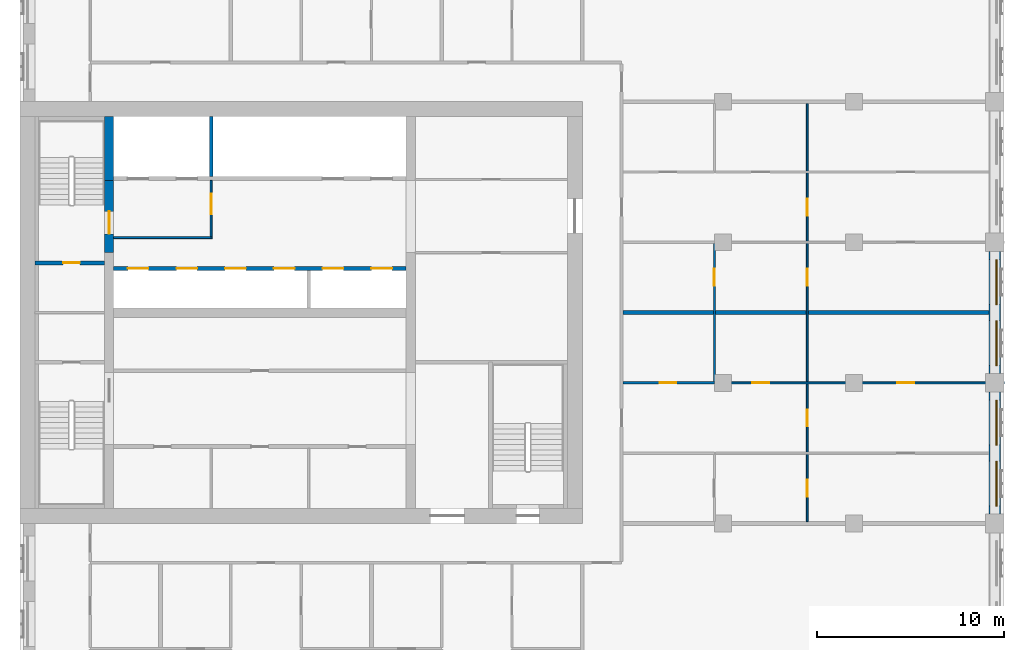
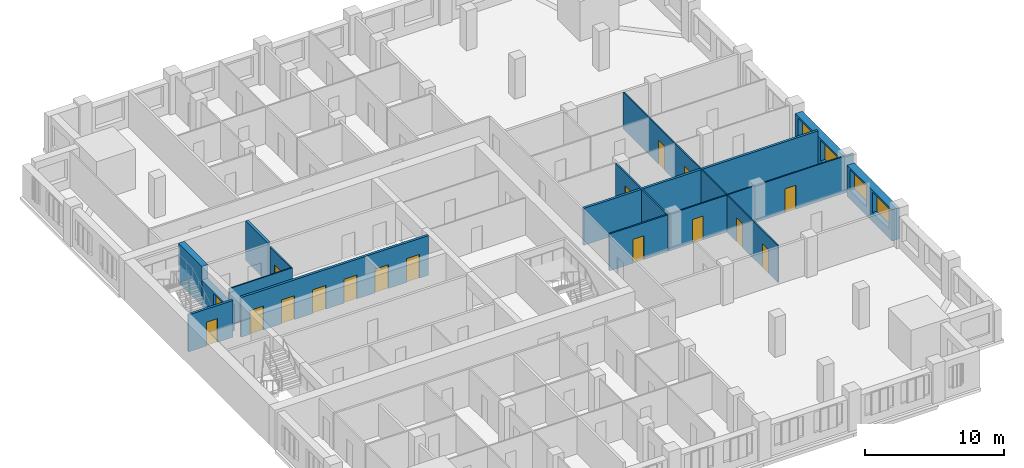
# One storey, part 9 of 14: 17 doors, 14 walls, 4 windows, 21 openings.
"""IFC4 building model written with IfcOpenShell, lengths in metres."""

from ifc_helpers import new_model, si_unit, direction, frame, frame_2d, origin, place, context, subcontext, project, spatial, rectangle, extrude, material, layer, layer_set, type_object, element, fill, save


model = new_model("IFC4")

# Units and contexts
model_context = context("Model", 3, precision=1e-05, world=origin(), true_north=direction((0.0, 1.0)))
body_context = subcontext(model_context, "Body", "Model", "MODEL_VIEW")
ifc_project = project(units=[si_unit("LENGTHUNIT", "METRE"), si_unit("AREAUNIT", "SQUARE_METRE"), si_unit("VOLUMEUNIT", "CUBIC_METRE"), si_unit("PLANEANGLEUNIT", "RADIAN"), si_unit("MASSUNIT", "GRAM", prefix="KILO")], contexts=[model_context])

# Site, building, storey
site_placement = place(None, origin())
site = spatial("IfcSite", under=ifc_project, at=site_placement, CompositionType="ELEMENT")
building_placement = place(site_placement, origin())
building = spatial("IfcBuilding", under=site, at=building_placement, Name="Tamorin Gate", CompositionType="ELEMENT")
storey_placement = place(building_placement, frame((0.0, 0.0, 207.199951171875)))
storey = spatial("IfcBuildingStorey", under=building, at=storey_placement, Name="L51", CompositionType="ELEMENT", Elevation=207.199951171875)

# Wall, openings, windows
ifc_material_1 = material(Name="Precast concrete C40/50", Category="concrete")
ifc_layer_1 = layer(ifc_material_1, 0.60009765625)
ifc_layer_set_1 = layer_set([ifc_layer_1], Name="Precast concrete C40/50")
wall_type_1 = type_object("IfcWallType", Name="Board-marked concrete facade panel 600", PredefinedType="SOLIDWALL", material=ifc_layer_set_1)
wall_1_placement = place(storey_placement, frame((82.0, 60.5, 0.0), z_axis=(0.0, 0.0, 1.0), x_axis=(0.0, 1.0, 0.0)))
wall_1 = element("IfcWall", 1, at=wall_1_placement, inside=storey, type_object=wall_type_1, Name="Facade panel", PredefinedType="SOLIDWALL", context=body_context, shape_type="SweptSolid", body=[
    extrude(rectangle(XDim=6.5, YDim=0.60009765625, at=frame_2d((3.25, 0.0))), origin(), (0.0, 0.0, 1.0), 2.75),
])
opening_1_placement = place(wall_1_placement, frame((0.425048828125, 0.0, 0.800048828125)))
opening_1 = element("IfcOpeningElement", 2, at=opening_1_placement, cuts=wall_1, Name="Opening WN1", PredefinedType="OPENING", context=body_context, shape_type="SweptSolid", body=[
    extrude(rectangle(XDim=2.39990234375, YDim=1.800048828125, at=frame_2d((1.199951171875, 0.89990234375))), frame((0.0, 0.31005859375, 0.0), z_axis=(0.0, -1.0, 0.0), x_axis=(1.0, 0.0, 0.0)), (0.0, 0.0, 1.0), 0.6201171875),
])
opening_2_placement = place(wall_1_placement, frame((3.675048828125, 0.0, 0.800048828125)))
opening_2 = element("IfcOpeningElement", 3, at=opening_2_placement, cuts=wall_1, Name="Opening WN1", PredefinedType="OPENING", context=body_context, shape_type="SweptSolid", body=[
    extrude(rectangle(XDim=2.39990234375, YDim=1.800048828125, at=frame_2d((1.199951171875, 0.89990234375))), frame((0.0, 0.31005859375, 0.0), z_axis=(0.0, -1.0, 0.0), x_axis=(1.0, 0.0, 0.0)), (0.0, 0.0, 1.0), 0.6201171875),
])
ifc_material_2 = material(Name="Clear glass in aluminium frame", Category="aluminium")
window_type = type_object("IfcWindowType", Name="Deep-set window 2400x1800", PartitioningType="SINGLE_PANEL", PredefinedType="WINDOW", material=ifc_material_2)
window_1_placement = place(opening_1_placement, origin())
window_1 = element("IfcWindow", 4, at=window_1_placement, inside=storey, type_object=window_type, Name="Deep-set window", OverallHeight=1.800048828125, OverallWidth=2.39990234375, PartitioningType="SINGLE_PANEL", PredefinedType="WINDOW", context=body_context, shape_type="SweptSolid", body=[
    extrude(rectangle(XDim=2.39990234375, YDim=1.800048828125, at=frame_2d((1.199951171875, 0.89990234375))), frame((0.0, -0.070068359375, 0.0), z_axis=(0.0, -1.0, 0.0), x_axis=(1.0, 0.0, 0.0)), (0.0, 0.0, 1.0), 0.06005859375),
])
fill(opening_1, window_1)
window_2_placement = place(opening_2_placement, origin())
window_2 = element("IfcWindow", 5, at=window_2_placement, inside=storey, type_object=window_type, Name="Deep-set window", OverallHeight=1.800048828125, OverallWidth=2.39990234375, PartitioningType="SINGLE_PANEL", PredefinedType="WINDOW", context=body_context, shape_type="SweptSolid", body=[
    extrude(rectangle(XDim=2.39990234375, YDim=1.800048828125, at=frame_2d((1.199951171875, 0.89990234375))), frame((0.0, -0.070068359375, 0.0), z_axis=(0.0, -1.0, 0.0), x_axis=(1.0, 0.0, 0.0)), (0.0, 0.0, 1.0), 0.06005859375),
])
fill(opening_2, window_2)

wall_2_placement = place(storey_placement, frame((82.0, 68.0, 0.0), z_axis=(0.0, 0.0, 1.0), x_axis=(0.0, 1.0, 0.0)))
wall_2 = element("IfcWall", 6, at=wall_2_placement, inside=storey, type_object=wall_type_1, Name="Facade panel", PredefinedType="SOLIDWALL", context=body_context, shape_type="SweptSolid", body=[
    extrude(rectangle(XDim=6.5, YDim=0.60009765625, at=frame_2d((3.25, 0.0))), origin(), (0.0, 0.0, 1.0), 2.75),
])
opening_3_placement = place(wall_2_placement, frame((0.425048828125, 0.0, 0.800048828125)))
opening_3 = element("IfcOpeningElement", 7, at=opening_3_placement, cuts=wall_2, Name="Opening WN1", PredefinedType="OPENING", context=body_context, shape_type="SweptSolid", body=[
    extrude(rectangle(XDim=2.39990234375, YDim=1.800048828125, at=frame_2d((1.199951171875, 0.89990234375))), frame((0.0, 0.31005859375, 0.0), z_axis=(0.0, -1.0, 0.0), x_axis=(1.0, 0.0, 0.0)), (0.0, 0.0, 1.0), 0.6201171875),
])
opening_4_placement = place(wall_2_placement, frame((3.675048828125, 0.0, 0.800048828125)))
opening_4 = element("IfcOpeningElement", 8, at=opening_4_placement, cuts=wall_2, Name="Opening WN1", PredefinedType="OPENING", context=body_context, shape_type="SweptSolid", body=[
    extrude(rectangle(XDim=2.39990234375, YDim=1.800048828125, at=frame_2d((1.199951171875, 0.89990234375))), frame((0.0, 0.31005859375, 0.0), z_axis=(0.0, -1.0, 0.0), x_axis=(1.0, 0.0, 0.0)), (0.0, 0.0, 1.0), 0.6201171875),
])
window_3_placement = place(opening_3_placement, origin())
window_3 = element("IfcWindow", 9, at=window_3_placement, inside=storey, type_object=window_type, Name="Deep-set window", OverallHeight=1.800048828125, OverallWidth=2.39990234375, PartitioningType="SINGLE_PANEL", PredefinedType="WINDOW", context=body_context, shape_type="SweptSolid", body=[
    extrude(rectangle(XDim=2.39990234375, YDim=1.800048828125, at=frame_2d((1.199951171875, 0.89990234375))), frame((0.0, -0.070068359375, 0.0), z_axis=(0.0, -1.0, 0.0), x_axis=(1.0, 0.0, 0.0)), (0.0, 0.0, 1.0), 0.06005859375),
])
fill(opening_3, window_3)
window_4_placement = place(opening_4_placement, origin())
window_4 = element("IfcWindow", 10, at=window_4_placement, inside=storey, type_object=window_type, Name="Deep-set window", OverallHeight=1.800048828125, OverallWidth=2.39990234375, PartitioningType="SINGLE_PANEL", PredefinedType="WINDOW", context=body_context, shape_type="SweptSolid", body=[
    extrude(rectangle(XDim=2.39990234375, YDim=1.800048828125, at=frame_2d((1.199951171875, 0.89990234375))), frame((0.0, -0.070068359375, 0.0), z_axis=(0.0, -1.0, 0.0), x_axis=(1.0, 0.0, 0.0)), (0.0, 0.0, 1.0), 0.06005859375),
])
fill(opening_4, window_4)

# Wall
ifc_material_3 = material(Name="Gypsum board partition")
ifc_layer_2 = layer(ifc_material_3, 0.199951171875)
ifc_layer_set_2 = layer_set([ifc_layer_2], Name="Demising wall 200")
wall_type_2 = type_object("IfcWallType", Name="Demising wall 200", PredefinedType="PARTITIONING", material=ifc_layer_set_2)
wall_3_placement = place(storey_placement, frame((62.175048828125, 71.25, 0.0), z_axis=(0.0, 0.0, 1.0), x_axis=(1.0, 0.0, 0.0)))
element("IfcWall", 11, at=wall_3_placement, inside=storey, type_object=wall_type_2, Name="Demising wall 200", PredefinedType="PARTITIONING", context=body_context, shape_type="SweptSolid", body=[
    extrude(rectangle(XDim=19.514892578125, YDim=0.199951171875, at=frame_2d((9.75732421875, 0.0))), origin(), (0.0, 0.0, 1.0), 3.25),
])

# Wall, openings, doors
ifc_material_4 = material(Name="Concrete C32/40", Category="concrete")
ifc_layer_3 = layer(ifc_material_4, 0.199951171875)
ifc_layer_set_3 = layer_set([ifc_layer_3], Name="Lift lobby face wall 200 EI 120")
wall_type_3 = type_object("IfcWallType", Name="Lift lobby face wall 200 EI 120", PredefinedType="SOLIDWALL", material=ifc_layer_set_3)
wall_4_placement = place(storey_placement, frame((35.0, 73.60009765625, 0.0), z_axis=(0.0, 0.0, 1.0), x_axis=(1.0, 0.0, 0.0)))
wall_4 = element("IfcWall", 12, at=wall_4_placement, inside=storey, type_object=wall_type_3, Name="Lift lobby face wall", PredefinedType="SOLIDWALL", context=body_context, shape_type="SweptSolid", body=[
    extrude(rectangle(XDim=15.60009765625, YDim=0.199951171875, at=frame_2d((7.800048828125, 0.0))), origin(), (0.0, 0.0, 1.0), 3.5),
])
opening_5_placement = place(wall_4_placement, frame((0.75, 0.0, 0.0)))
opening_5 = element("IfcOpeningElement", 13, at=opening_5_placement, cuts=wall_4, Name="Opening LD11", PredefinedType="OPENING", context=body_context, shape_type="SweptSolid", body=[
    extrude(rectangle(XDim=1.10009765625, YDim=2.10009765625, at=frame_2d((0.550048828125, 1.050048828125))), frame((0.0, 0.10986328125, 0.0), z_axis=(0.0, -1.0, 0.0), x_axis=(1.0, 0.0, 0.0)), (0.0, 0.0, 1.0), 0.219970703125),
])
opening_6_placement = place(wall_4_placement, frame((3.35009765625, 0.0, 0.0)))
opening_6 = element("IfcOpeningElement", 14, at=opening_6_placement, cuts=wall_4, Name="Opening LD12", PredefinedType="OPENING", context=body_context, shape_type="SweptSolid", body=[
    extrude(rectangle(XDim=1.10009765625, YDim=2.10009765625, at=frame_2d((0.550048828125, 1.050048828125))), frame((0.0, 0.10986328125, 0.0), z_axis=(0.0, -1.0, 0.0), x_axis=(1.0, 0.0, 0.0)), (0.0, 0.0, 1.0), 0.219970703125),
])
opening_7_placement = place(wall_4_placement, frame((5.949951171875, 0.0, 0.0)))
opening_7 = element("IfcOpeningElement", 15, at=opening_7_placement, cuts=wall_4, Name="Opening LD13", PredefinedType="OPENING", context=body_context, shape_type="SweptSolid", body=[
    extrude(rectangle(XDim=1.10009765625, YDim=2.10009765625, at=frame_2d((0.550048828125, 1.050048828125))), frame((0.0, 0.10986328125, 0.0), z_axis=(0.0, -1.0, 0.0), x_axis=(1.0, 0.0, 0.0)), (0.0, 0.0, 1.0), 0.219970703125),
])
opening_8_placement = place(wall_4_placement, frame((8.550048828125, 0.0, 0.0)))
opening_8 = element("IfcOpeningElement", 16, at=opening_8_placement, cuts=wall_4, Name="Opening LD14", PredefinedType="OPENING", context=body_context, shape_type="SweptSolid", body=[
    extrude(rectangle(XDim=1.10009765625, YDim=2.10009765625, at=frame_2d((0.550048828125, 1.050048828125))), frame((0.0, 0.10986328125, 0.0), z_axis=(0.0, -1.0, 0.0), x_axis=(1.0, 0.0, 0.0)), (0.0, 0.0, 1.0), 0.219970703125),
])
opening_9_placement = place(wall_4_placement, frame((11.14990234375, 0.0, 0.0)))
opening_9 = element("IfcOpeningElement", 17, at=opening_9_placement, cuts=wall_4, Name="Opening LD15", PredefinedType="OPENING", context=body_context, shape_type="SweptSolid", body=[
    extrude(rectangle(XDim=1.10009765625, YDim=2.10009765625, at=frame_2d((0.550048828125, 1.050048828125))), frame((0.0, 0.10986328125, 0.0), z_axis=(0.0, -1.0, 0.0), x_axis=(1.0, 0.0, 0.0)), (0.0, 0.0, 1.0), 0.219970703125),
])
opening_10_placement = place(wall_4_placement, frame((13.75, 0.0, 0.0)))
opening_10 = element("IfcOpeningElement", 18, at=opening_10_placement, cuts=wall_4, Name="Opening LD16", PredefinedType="OPENING", context=body_context, shape_type="SweptSolid", body=[
    extrude(rectangle(XDim=1.10009765625, YDim=2.10009765625, at=frame_2d((0.550048828125, 1.050048828125))), frame((0.0, 0.10986328125, 0.0), z_axis=(0.0, -1.0, 0.0), x_axis=(1.0, 0.0, 0.0)), (0.0, 0.0, 1.0), 0.219970703125),
])
ifc_material_5 = material(Name="Stainless steel sliding door", Category="steel")
door_type_1 = type_object("IfcDoorType", Name="Lift landing door 1100 x 2100 E 90", OperationType="DOUBLE_DOOR_SLIDING", PredefinedType="DOOR", material=ifc_material_5)
door_1_placement = place(opening_5_placement, origin())
door_1 = element("IfcDoor", 19, at=door_1_placement, inside=storey, type_object=door_type_1, Name="HR1 landing door", OperationType="DOUBLE_DOOR_SLIDING", OverallHeight=2.10009765625, OverallWidth=1.10009765625, PredefinedType="DOOR", context=body_context, shape_type="SweptSolid", body=[
    extrude(rectangle(XDim=1.10009765625, YDim=2.10009765625, at=frame_2d((0.550048828125, 1.050048828125))), frame((0.0, 0.02490234375, 0.0), z_axis=(0.0, -1.0, 0.0), x_axis=(1.0, 0.0, 0.0)), (0.0, 0.0, 1.0), 0.050048828125),
])
fill(opening_5, door_1)
door_2_placement = place(opening_6_placement, origin())
door_2 = element("IfcDoor", 20, at=door_2_placement, inside=storey, type_object=door_type_1, Name="HR2 landing door", OperationType="DOUBLE_DOOR_SLIDING", OverallHeight=2.10009765625, OverallWidth=1.10009765625, PredefinedType="DOOR", context=body_context, shape_type="SweptSolid", body=[
    extrude(rectangle(XDim=1.10009765625, YDim=2.10009765625, at=frame_2d((0.550048828125, 1.050048828125))), frame((0.0, 0.02490234375, 0.0), z_axis=(0.0, -1.0, 0.0), x_axis=(1.0, 0.0, 0.0)), (0.0, 0.0, 1.0), 0.050048828125),
])
fill(opening_6, door_2)
door_3_placement = place(opening_7_placement, origin())
door_3 = element("IfcDoor", 21, at=door_3_placement, inside=storey, type_object=door_type_1, Name="HR3 landing door", OperationType="DOUBLE_DOOR_SLIDING", OverallHeight=2.10009765625, OverallWidth=1.10009765625, PredefinedType="DOOR", context=body_context, shape_type="SweptSolid", body=[
    extrude(rectangle(XDim=1.10009765625, YDim=2.10009765625, at=frame_2d((0.550048828125, 1.050048828125))), frame((0.0, 0.02490234375, 0.0), z_axis=(0.0, -1.0, 0.0), x_axis=(1.0, 0.0, 0.0)), (0.0, 0.0, 1.0), 0.050048828125),
])
fill(opening_7, door_3)
door_4_placement = place(opening_8_placement, origin())
door_4 = element("IfcDoor", 22, at=door_4_placement, inside=storey, type_object=door_type_1, Name="HR4 landing door", OperationType="DOUBLE_DOOR_SLIDING", OverallHeight=2.10009765625, OverallWidth=1.10009765625, PredefinedType="DOOR", context=body_context, shape_type="SweptSolid", body=[
    extrude(rectangle(XDim=1.10009765625, YDim=2.10009765625, at=frame_2d((0.550048828125, 1.050048828125))), frame((0.0, 0.02490234375, 0.0), z_axis=(0.0, -1.0, 0.0), x_axis=(1.0, 0.0, 0.0)), (0.0, 0.0, 1.0), 0.050048828125),
])
fill(opening_8, door_4)
door_5_placement = place(opening_9_placement, origin())
door_5 = element("IfcDoor", 23, at=door_5_placement, inside=storey, type_object=door_type_1, Name="HR5 landing door", OperationType="DOUBLE_DOOR_SLIDING", OverallHeight=2.10009765625, OverallWidth=1.10009765625, PredefinedType="DOOR", context=body_context, shape_type="SweptSolid", body=[
    extrude(rectangle(XDim=1.10009765625, YDim=2.10009765625, at=frame_2d((0.550048828125, 1.050048828125))), frame((0.0, 0.02490234375, 0.0), z_axis=(0.0, -1.0, 0.0), x_axis=(1.0, 0.0, 0.0)), (0.0, 0.0, 1.0), 0.050048828125),
])
fill(opening_9, door_5)
door_6_placement = place(opening_10_placement, origin())
door_6 = element("IfcDoor", 24, at=door_6_placement, inside=storey, type_object=door_type_1, Name="HR6 landing door", OperationType="DOUBLE_DOOR_SLIDING", OverallHeight=2.10009765625, OverallWidth=1.10009765625, PredefinedType="DOOR", context=body_context, shape_type="SweptSolid", body=[
    extrude(rectangle(XDim=1.10009765625, YDim=2.10009765625, at=frame_2d((0.550048828125, 1.050048828125))), frame((0.0, 0.02490234375, 0.0), z_axis=(0.0, -1.0, 0.0), x_axis=(1.0, 0.0, 0.0)), (0.0, 0.0, 1.0), 0.050048828125),
])
fill(opening_10, door_6)

# Walls
ifc_layer_4 = layer(ifc_material_4, 0.199951171875)
ifc_layer_set_4 = layer_set([ifc_layer_4], Name="Lift shaft wall 200 EI 120")
wall_type_4 = type_object("IfcWallType", Name="Lift shaft wall 200 EI 120", PredefinedType="SOLIDWALL", material=ifc_layer_set_4)
wall_5_placement = place(storey_placement, frame((40.199951171875, 78.5, 0.0), z_axis=(0.0, 0.0, 1.0), x_axis=(0.0, 1.0, 0.0)))
element("IfcWall", 25, at=wall_5_placement, inside=storey, type_object=wall_type_4, Name="Lift shaft wall", PredefinedType="SOLIDWALL", context=body_context, shape_type="SweptSolid", body=[
    extrude(rectangle(XDim=3.199951171875, YDim=0.199951171875, at=frame_2d((1.60009765625, 0.0))), origin(), (0.0, 0.0, 1.0), 3.5),
])
ifc_material_6 = material(Name="Fire-rated gypsum board partition")
ifc_layer_5 = layer(ifc_material_6, 0.10009765625)
ifc_layer_set_5 = layer_set([ifc_layer_5], Name="Lobby wall 100 EI 60")
wall_type_5 = type_object("IfcWallType", Name="Lobby wall 100 EI 60", PredefinedType="PARTITIONING", material=ifc_layer_set_5)
wall_6_placement = place(storey_placement, frame((35.0, 75.25, 0.0), z_axis=(0.0, 0.0, 1.0), x_axis=(1.0, 0.0, 0.0)))
element("IfcWall", 26, at=wall_6_placement, inside=storey, type_object=wall_type_5, Name="Firefighting lobby wall", PredefinedType="PARTITIONING", context=body_context, shape_type="SweptSolid", body=[
    extrude(rectangle(XDim=5.25, YDim=0.10009765625, at=frame_2d((2.625, 0.0))), origin(), (0.0, 0.0, 1.0), 3.25),
])

# Wall, opening, door
wall_7_placement = place(storey_placement, frame((40.199951171875, 75.300048828125, 0.0), z_axis=(0.0, 0.0, 1.0), x_axis=(0.0, 1.0, 0.0)))
wall_7 = element("IfcWall", 27, at=wall_7_placement, inside=storey, type_object=wall_type_5, Name="Firefighting lobby wall", PredefinedType="PARTITIONING", context=body_context, shape_type="SweptSolid", body=[
    extrude(rectangle(XDim=3.0, YDim=0.10009765625, at=frame_2d((1.5, 0.0))), origin(), (0.0, 0.0, 1.0), 3.25),
])
opening_11_placement = place(wall_7_placement, frame((1.199951171875, 0.0, 0.0)))
opening_11 = element("IfcOpeningElement", 28, at=opening_11_placement, cuts=wall_7, Name="Opening DF1", PredefinedType="OPENING", context=body_context, shape_type="SweptSolid", body=[
    extrude(rectangle(XDim=1.10009765625, YDim=2.10009765625, at=frame_2d((0.550048828125, 1.050048828125))), frame((0.0, 0.06005859375, 0.0), z_axis=(0.0, -1.0, 0.0), x_axis=(1.0, 0.0, 0.0)), (0.0, 0.0, 1.0), 0.1201171875),
])
ifc_material_7 = material(Name="Steel fire door", Category="steel")
door_type_2 = type_object("IfcDoorType", Name="Firefighting lobby door 1100 x 2100 EI 90", OperationType="SINGLE_SWING_LEFT", PredefinedType="DOOR", material=ifc_material_7)
door_7_placement = place(opening_11_placement, origin())
door_7 = element("IfcDoor", 29, at=door_7_placement, inside=storey, type_object=door_type_2, Name="Firefighting lobby door", OperationType="SINGLE_SWING_LEFT", OverallHeight=2.10009765625, OverallWidth=1.10009765625, PredefinedType="DOOR", context=body_context, shape_type="SweptSolid", body=[
    extrude(rectangle(XDim=1.10009765625, YDim=2.10009765625, at=frame_2d((0.550048828125, 1.050048828125))), frame((0.0, 0.02490234375, 0.0), z_axis=(0.0, -1.0, 0.0), x_axis=(1.0, 0.0, 0.0)), (0.0, 0.0, 1.0), 0.050048828125),
])
fill(opening_11, door_7)

# Wall
ifc_material_8 = material(Name="Concrete C60/75", Category="concrete")
ifc_layer_6 = layer(ifc_material_8, 0.5)
ifc_layer_set_6 = layer_set([ifc_layer_6], Name="RC core internal wall 500 C60/75")
wall_type_6 = type_object("IfcWallType", Name="RC core internal wall 500 C60/75", PredefinedType="SHEAR", material=ifc_layer_set_6)
wall_8_placement = place(storey_placement, frame((34.75, 78.300048828125, 0.0), z_axis=(0.0, 0.0, 1.0), x_axis=(0.0, 1.0, 0.0)))
element("IfcWall", 30, at=wall_8_placement, inside=storey, type_object=wall_type_6, Name="Core cross wall L51", PredefinedType="SHEAR", context=body_context, shape_type="SweptSolid", body=[
    extrude(rectangle(XDim=3.39990234375, YDim=0.5, at=frame_2d((1.699951171875, 0.0))), origin(), (0.0, 0.0, 1.0), 3.5),
])

# Wall, openings, doors
ifc_layer_7 = layer(ifc_material_3, 0.10009765625)
ifc_layer_set_7 = layer_set([ifc_layer_7], Name="Room partition 100")
wall_type_7 = type_object("IfcWallType", Name="Room partition 100", PredefinedType="PARTITIONING", material=ifc_layer_set_7)
wall_9_placement = place(storey_placement, frame((67.112548828125, 67.5, 0.0), z_axis=(0.0, 0.0, 1.0), x_axis=(1.0, 0.0, 0.0)))
wall_9 = element("IfcWall", 31, at=wall_9_placement, inside=storey, type_object=wall_type_7, Name="Room partition 100", PredefinedType="PARTITIONING", context=body_context, shape_type="SweptSolid", body=[
    extrude(rectangle(XDim=15.387451171875, YDim=0.10009765625, at=frame_2d((7.69384765625, 0.0))), origin(), (0.0, 0.0, 1.0), 3.25),
])
opening_12_placement = place(wall_9_placement, frame((1.96240234375, 0.0, 0.0)))
opening_12 = element("IfcOpeningElement", 32, at=opening_12_placement, cuts=wall_9, Name="Opening DR1041", PredefinedType="OPENING", context=body_context, shape_type="SweptSolid", body=[
    extrude(rectangle(XDim=0.89990234375, YDim=2.10009765625, at=frame_2d((0.449951171875, 1.050048828125))), frame((0.0, 0.06005859375, 0.0), z_axis=(0.0, -1.0, 0.0), x_axis=(1.0, 0.0, 0.0)), (0.0, 0.0, 1.0), 0.1201171875),
])
opening_13_placement = place(wall_9_placement, frame((9.6875, 0.0, 0.0)))
opening_13 = element("IfcOpeningElement", 33, at=opening_13_placement, cuts=wall_9, Name="Opening DR1044", PredefinedType="OPENING", context=body_context, shape_type="SweptSolid", body=[
    extrude(rectangle(XDim=0.89990234375, YDim=2.10009765625, at=frame_2d((0.449951171875, 1.050048828125))), frame((0.0, 0.06005859375, 0.0), z_axis=(0.0, -1.0, 0.0), x_axis=(1.0, 0.0, 0.0)), (0.0, 0.0, 1.0), 0.1201171875),
])
ifc_material_9 = material(Name="Timber door leaf", Category="wood")
door_type_3 = type_object("IfcDoorType", Name="Door 900 x 2100", OperationType="NOTDEFINED", PredefinedType="DOOR", material=ifc_material_9)
door_8_placement = place(opening_12_placement, origin())
door_8 = element("IfcDoor", 34, at=door_8_placement, inside=storey, type_object=door_type_3, Name="Door DR1041", OperationType="SINGLE_SWING_LEFT", OverallHeight=2.10009765625, OverallWidth=0.89990234375, PredefinedType="DOOR", context=body_context, shape_type="SweptSolid", body=[
    extrude(rectangle(XDim=0.89990234375, YDim=2.10009765625, at=frame_2d((0.449951171875, 1.050048828125))), frame((0.0, 0.02490234375, 0.0), z_axis=(0.0, -1.0, 0.0), x_axis=(1.0, 0.0, 0.0)), (0.0, 0.0, 1.0), 0.050048828125),
])
fill(opening_12, door_8)
door_9_placement = place(opening_13_placement, origin())
door_9 = element("IfcDoor", 35, at=door_9_placement, inside=storey, type_object=door_type_3, Name="Door DR1044", OperationType="SINGLE_SWING_RIGHT", OverallHeight=2.10009765625, OverallWidth=0.89990234375, PredefinedType="DOOR", context=body_context, shape_type="SweptSolid", body=[
    extrude(rectangle(XDim=0.89990234375, YDim=2.10009765625, at=frame_2d((0.449951171875, 1.050048828125))), frame((0.0, 0.02490234375, 0.0), z_axis=(0.0, -1.0, 0.0), x_axis=(1.0, 0.0, 0.0)), (0.0, 0.0, 1.0), 0.050048828125),
])
fill(opening_13, door_9)

wall_10_placement = place(storey_placement, frame((72.0, 60.10009765625, 0.0), z_axis=(0.0, 0.0, 1.0), x_axis=(0.0, 1.0, 0.0)))
wall_10 = element("IfcWall", 36, at=wall_10_placement, inside=storey, type_object=wall_type_7, Name="Room partition 100", PredefinedType="PARTITIONING", context=body_context, shape_type="SweptSolid", body=[
    extrude(rectangle(XDim=22.2998046875, YDim=0.10009765625, at=frame_2d((11.14990234375, 0.0))), origin(), (0.0, 0.0, 1.0), 3.25),
])
opening_14_placement = place(wall_10_placement, frame((1.324951171875, 0.0, 0.0)))
opening_14 = element("IfcOpeningElement", 37, at=opening_14_placement, cuts=wall_10, Name="Opening DR1037", PredefinedType="OPENING", context=body_context, shape_type="SweptSolid", body=[
    extrude(rectangle(XDim=0.89990234375, YDim=2.10009765625, at=frame_2d((0.449951171875, 1.050048828125))), frame((0.0, 0.06005859375, 0.0), z_axis=(0.0, -1.0, 0.0), x_axis=(1.0, 0.0, 0.0)), (0.0, 0.0, 1.0), 0.1201171875),
])
opening_15_placement = place(wall_10_placement, frame((5.074951171875, 0.0, 0.0)))
opening_15 = element("IfcOpeningElement", 38, at=opening_15_placement, cuts=wall_10, Name="Opening DR1040", PredefinedType="OPENING", context=body_context, shape_type="SweptSolid", body=[
    extrude(rectangle(XDim=0.89990234375, YDim=2.10009765625, at=frame_2d((0.449951171875, 1.050048828125))), frame((0.0, 0.06005859375, 0.0), z_axis=(0.0, -1.0, 0.0), x_axis=(1.0, 0.0, 0.0)), (0.0, 0.0, 1.0), 0.1201171875),
])
opening_16_placement = place(wall_10_placement, frame((12.574951171875, 0.0, 0.0)))
opening_16 = element("IfcOpeningElement", 39, at=opening_16_placement, cuts=wall_10, Name="Opening DR1045", PredefinedType="OPENING", context=body_context, shape_type="SweptSolid", body=[
    extrude(rectangle(XDim=0.89990234375, YDim=2.10009765625, at=frame_2d((0.449951171875, 1.050048828125))), frame((0.0, 0.06005859375, 0.0), z_axis=(0.0, -1.0, 0.0), x_axis=(1.0, 0.0, 0.0)), (0.0, 0.0, 1.0), 0.1201171875),
])
opening_17_placement = place(wall_10_placement, frame((16.324951171875, 0.0, 0.0)))
opening_17 = element("IfcOpeningElement", 40, at=opening_17_placement, cuts=wall_10, Name="Opening DR1048", PredefinedType="OPENING", context=body_context, shape_type="SweptSolid", body=[
    extrude(rectangle(XDim=0.89990234375, YDim=2.10009765625, at=frame_2d((0.449951171875, 1.050048828125))), frame((0.0, 0.06005859375, 0.0), z_axis=(0.0, -1.0, 0.0), x_axis=(1.0, 0.0, 0.0)), (0.0, 0.0, 1.0), 0.1201171875),
])
door_10_placement = place(opening_14_placement, origin())
door_10 = element("IfcDoor", 41, at=door_10_placement, inside=storey, type_object=door_type_3, Name="Door DR1037", OperationType="SINGLE_SWING_LEFT", OverallHeight=2.10009765625, OverallWidth=0.89990234375, PredefinedType="DOOR", context=body_context, shape_type="SweptSolid", body=[
    extrude(rectangle(XDim=0.89990234375, YDim=2.10009765625, at=frame_2d((0.449951171875, 1.050048828125))), frame((0.0, 0.02490234375, 0.0), z_axis=(0.0, -1.0, 0.0), x_axis=(1.0, 0.0, 0.0)), (0.0, 0.0, 1.0), 0.050048828125),
])
fill(opening_14, door_10)
door_11_placement = place(opening_15_placement, origin())
door_11 = element("IfcDoor", 42, at=door_11_placement, inside=storey, type_object=door_type_3, Name="Door DR1040", OperationType="SINGLE_SWING_LEFT", OverallHeight=2.10009765625, OverallWidth=0.89990234375, PredefinedType="DOOR", context=body_context, shape_type="SweptSolid", body=[
    extrude(rectangle(XDim=0.89990234375, YDim=2.10009765625, at=frame_2d((0.449951171875, 1.050048828125))), frame((0.0, 0.02490234375, 0.0), z_axis=(0.0, -1.0, 0.0), x_axis=(1.0, 0.0, 0.0)), (0.0, 0.0, 1.0), 0.050048828125),
])
fill(opening_15, door_11)
door_12_placement = place(opening_16_placement, origin())
door_12 = element("IfcDoor", 43, at=door_12_placement, inside=storey, type_object=door_type_3, Name="Door DR1045", OperationType="SINGLE_SWING_LEFT", OverallHeight=2.10009765625, OverallWidth=0.89990234375, PredefinedType="DOOR", context=body_context, shape_type="SweptSolid", body=[
    extrude(rectangle(XDim=0.89990234375, YDim=2.10009765625, at=frame_2d((0.449951171875, 1.050048828125))), frame((0.0, 0.02490234375, 0.0), z_axis=(0.0, -1.0, 0.0), x_axis=(1.0, 0.0, 0.0)), (0.0, 0.0, 1.0), 0.050048828125),
])
fill(opening_16, door_12)
door_13_placement = place(opening_17_placement, origin())
door_13 = element("IfcDoor", 44, at=door_13_placement, inside=storey, type_object=door_type_3, Name="Door DR1048", OperationType="SINGLE_SWING_LEFT", OverallHeight=2.10009765625, OverallWidth=0.89990234375, PredefinedType="DOOR", context=body_context, shape_type="SweptSolid", body=[
    extrude(rectangle(XDim=0.89990234375, YDim=2.10009765625, at=frame_2d((0.449951171875, 1.050048828125))), frame((0.0, 0.02490234375, 0.0), z_axis=(0.0, -1.0, 0.0), x_axis=(1.0, 0.0, 0.0)), (0.0, 0.0, 1.0), 0.050048828125),
])
fill(opening_17, door_13)

# Wall, opening, door
ifc_material_10 = material(Name="Concrete C40/50", Category="concrete")
ifc_layer_8 = layer(ifc_material_10, 0.199951171875)
ifc_layer_set_8 = layer_set([ifc_layer_8], Name="Stair enclosure wall 200 EI 120 C40/50")
wall_type_8 = type_object("IfcWallType", Name="Stair enclosure wall 200 EI 120 C40/50", PredefinedType="SOLIDWALL", material=ifc_layer_set_8)
wall_11_placement = place(storey_placement, frame((30.800048828125, 73.89990234375, 0.0), z_axis=(0.0, 0.0, 1.0), x_axis=(1.0, 0.0, 0.0)))
wall_11 = element("IfcWall", 45, at=wall_11_placement, inside=storey, type_object=wall_type_8, Name="Stair enclosure wall", PredefinedType="SOLIDWALL", context=body_context, shape_type="SweptSolid", body=[
    extrude(rectangle(XDim=3.699951171875, YDim=0.199951171875, at=frame_2d((1.85009765625, 0.0))), origin(), (0.0, 0.0, 1.0), 3.25),
])
opening_18_placement = place(wall_11_placement, frame((1.5, 0.0, 0.0)))
opening_18 = element("IfcOpeningElement", 46, at=opening_18_placement, cuts=wall_11, Name="Opening DR1", PredefinedType="OPENING", context=body_context, shape_type="SweptSolid", body=[
    extrude(rectangle(XDim=0.89990234375, YDim=2.10009765625, at=frame_2d((0.449951171875, 1.050048828125))), frame((0.0, 0.10986328125, 0.0), z_axis=(0.0, -1.0, 0.0), x_axis=(1.0, 0.0, 0.0)), (0.0, 0.0, 1.0), 0.219970703125),
])
door_type_4 = type_object("IfcDoorType", Name="Riser access door 900 x 2100 EI 120", OperationType="SINGLE_SWING_LEFT", PredefinedType="DOOR", material=ifc_material_7)
door_14_placement = place(opening_18_placement, origin())
door_14 = element("IfcDoor", 47, at=door_14_placement, inside=storey, type_object=door_type_4, Name="Communications riser door", OperationType="SINGLE_SWING_RIGHT", OverallHeight=2.10009765625, OverallWidth=0.89990234375, PredefinedType="DOOR", context=body_context, shape_type="SweptSolid", body=[
    extrude(rectangle(XDim=0.89990234375, YDim=2.10009765625, at=frame_2d((0.449951171875, 1.050048828125))), frame((0.0, 0.02490234375, 0.0), z_axis=(0.0, -1.0, 0.0), x_axis=(1.0, 0.0, 0.0)), (0.0, 0.0, 1.0), 0.050048828125),
])
fill(opening_18, door_14)

ifc_layer_9 = layer(ifc_material_4, 0.5)
ifc_layer_set_9 = layer_set([ifc_layer_9], Name="Stair lobby infill wall 500 EI 120")
wall_type_9 = type_object("IfcWallType", Name="Stair lobby infill wall 500 EI 120", PredefinedType="SOLIDWALL", material=ifc_layer_set_9)
wall_12_placement = place(storey_placement, frame((34.75, 74.449951171875, 0.0), z_axis=(0.0, 0.0, 1.0), x_axis=(0.0, 1.0, 0.0)))
wall_12 = element("IfcWall", 48, at=wall_12_placement, inside=storey, type_object=wall_type_9, Name="Stair lobby infill wall", PredefinedType="SOLIDWALL", context=body_context, shape_type="SweptSolid", body=[
    extrude(rectangle(XDim=3.85009765625, YDim=0.5, at=frame_2d((1.925048828125, 0.0))), origin(), (0.0, 0.0, 1.0), 2.300048828125),
])
opening_19_placement = place(wall_12_placement, frame((1.0, 0.0, 0.0)))
opening_19 = element("IfcOpeningElement", 49, at=opening_19_placement, cuts=wall_12, Name="Opening DS1", PredefinedType="OPENING", context=body_context, shape_type="SweptSolid", body=[
    extrude(rectangle(XDim=1.199951171875, YDim=2.10009765625, at=frame_2d((0.60009765625, 1.050048828125))), frame((0.0, 0.260009765625, 0.0), z_axis=(0.0, -1.0, 0.0), x_axis=(1.0, 0.0, 0.0)), (0.0, 0.0, 1.0), 0.52001953125),
])
door_type_5 = type_object("IfcDoorType", Name="Stair door 1200 x 2100 EI 90", OperationType="SINGLE_SWING_LEFT", PredefinedType="DOOR", material=ifc_material_7)
door_15_placement = place(opening_19_placement, origin())
door_15 = element("IfcDoor", 50, at=door_15_placement, inside=storey, type_object=door_type_5, Name="ST2 door", OperationType="SINGLE_SWING_RIGHT", OverallHeight=2.10009765625, OverallWidth=1.199951171875, PredefinedType="DOOR", context=body_context, shape_type="SweptSolid", body=[
    extrude(rectangle(XDim=1.199951171875, YDim=2.10009765625, at=frame_2d((0.60009765625, 1.050048828125))), frame((0.0, 0.02490234375, 0.0), z_axis=(0.0, -1.0, 0.0), x_axis=(1.0, 0.0, 0.0)), (0.0, 0.0, 1.0), 0.050048828125),
])
fill(opening_19, door_15)

ifc_layer_10 = layer(ifc_material_3, 0.125)
ifc_layer_set_10 = layer_set([ifc_layer_10], Name="Wet wall 125")
wall_type_10 = type_object("IfcWallType", Name="Wet wall 125", PredefinedType="PARTITIONING", material=ifc_layer_set_10)
wall_13_placement = place(storey_placement, frame((62.175048828125, 67.5, 0.0), z_axis=(0.0, 0.0, 1.0), x_axis=(1.0, 0.0, 0.0)))
wall_13 = element("IfcWall", 51, at=wall_13_placement, inside=storey, type_object=wall_type_10, Name="Wet wall 125", PredefinedType="PARTITIONING", context=body_context, shape_type="SweptSolid", body=[
    extrude(rectangle(XDim=4.875, YDim=0.125, at=frame_2d((2.4375, 0.0))), origin(), (0.0, 0.0, 1.0), 3.25),
])
opening_20_placement = place(wall_13_placement, frame((1.949951171875, 0.0, 0.0)))
opening_20 = element("IfcOpeningElement", 52, at=opening_20_placement, cuts=wall_13, Name="Opening DR1042", PredefinedType="OPENING", context=body_context, shape_type="SweptSolid", body=[
    extrude(rectangle(XDim=0.89990234375, YDim=2.10009765625, at=frame_2d((0.449951171875, 1.050048828125))), frame((0.0, 0.072509765625, 0.0), z_axis=(0.0, -1.0, 0.0), x_axis=(1.0, 0.0, 0.0)), (0.0, 0.0, 1.0), 0.14501953125),
])
door_16_placement = place(opening_20_placement, origin())
door_16 = element("IfcDoor", 53, at=door_16_placement, inside=storey, type_object=door_type_3, Name="Door DR1042", OperationType="SINGLE_SWING_RIGHT", OverallHeight=2.10009765625, OverallWidth=0.89990234375, PredefinedType="DOOR", context=body_context, shape_type="SweptSolid", body=[
    extrude(rectangle(XDim=0.89990234375, YDim=2.10009765625, at=frame_2d((0.449951171875, 1.050048828125))), frame((0.0, 0.02490234375, 0.0), z_axis=(0.0, -1.0, 0.0), x_axis=(1.0, 0.0, 0.0)), (0.0, 0.0, 1.0), 0.050048828125),
])
fill(opening_20, door_16)

wall_14_placement = place(storey_placement, frame((67.050048828125, 67.5625, 0.0), z_axis=(0.0, 0.0, 1.0), x_axis=(0.0, 1.0, 0.0)))
wall_14 = element("IfcWall", 54, at=wall_14_placement, inside=storey, type_object=wall_type_10, Name="Wet wall 125", PredefinedType="PARTITIONING", context=body_context, shape_type="SweptSolid", body=[
    extrude(rectangle(XDim=7.375, YDim=0.125, at=frame_2d((3.6875, 0.0))), origin(), (0.0, 0.0, 1.0), 3.25),
])
opening_21_placement = place(wall_14_placement, frame((5.112548828125, 0.0, 0.0)))
opening_21 = element("IfcOpeningElement", 55, at=opening_21_placement, cuts=wall_14, Name="Opening DR1046", PredefinedType="OPENING", context=body_context, shape_type="SweptSolid", body=[
    extrude(rectangle(XDim=0.89990234375, YDim=2.10009765625, at=frame_2d((0.449951171875, 1.050048828125))), frame((0.0, 0.072509765625, 0.0), z_axis=(0.0, -1.0, 0.0), x_axis=(1.0, 0.0, 0.0)), (0.0, 0.0, 1.0), 0.14501953125),
])
door_17_placement = place(opening_21_placement, origin())
door_17 = element("IfcDoor", 56, at=door_17_placement, inside=storey, type_object=door_type_3, Name="Door DR1046", OperationType="SINGLE_SWING_LEFT", OverallHeight=2.10009765625, OverallWidth=0.89990234375, PredefinedType="DOOR", context=body_context, shape_type="SweptSolid", body=[
    extrude(rectangle(XDim=0.89990234375, YDim=2.10009765625, at=frame_2d((0.449951171875, 1.050048828125))), frame((0.0, 0.02490234375, 0.0), z_axis=(0.0, -1.0, 0.0), x_axis=(1.0, 0.0, 0.0)), (0.0, 0.0, 1.0), 0.050048828125),
])
fill(opening_21, door_17)

save(model, "model.ifc")
